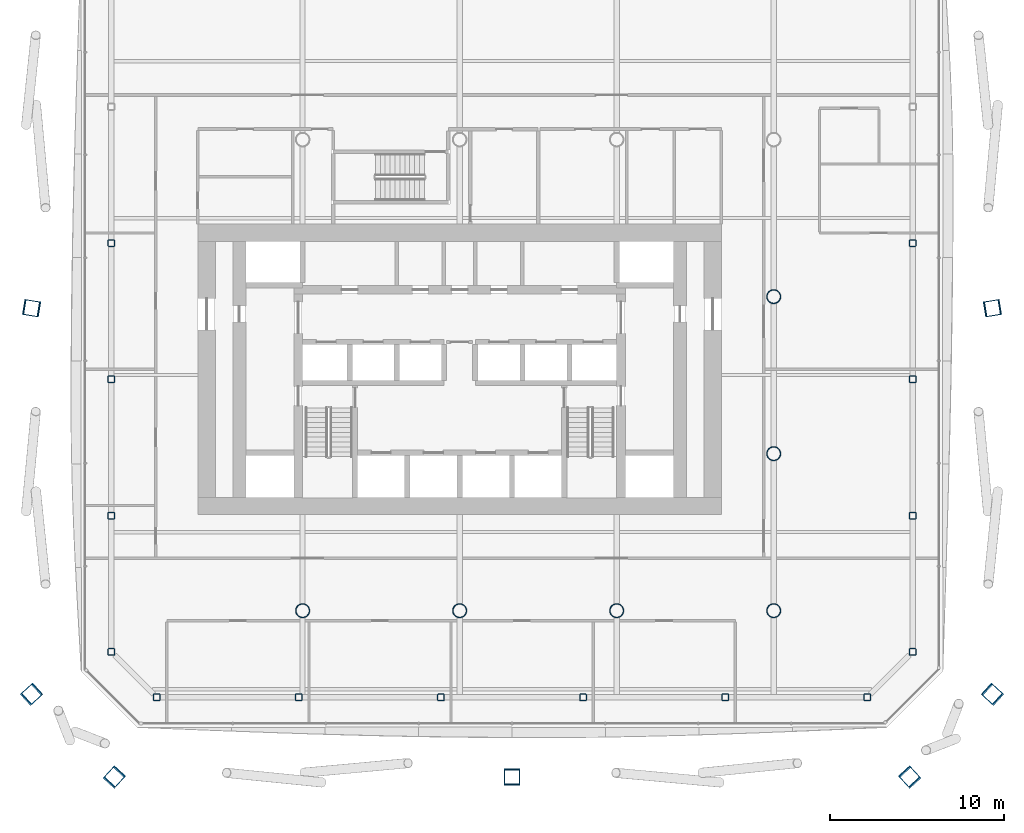
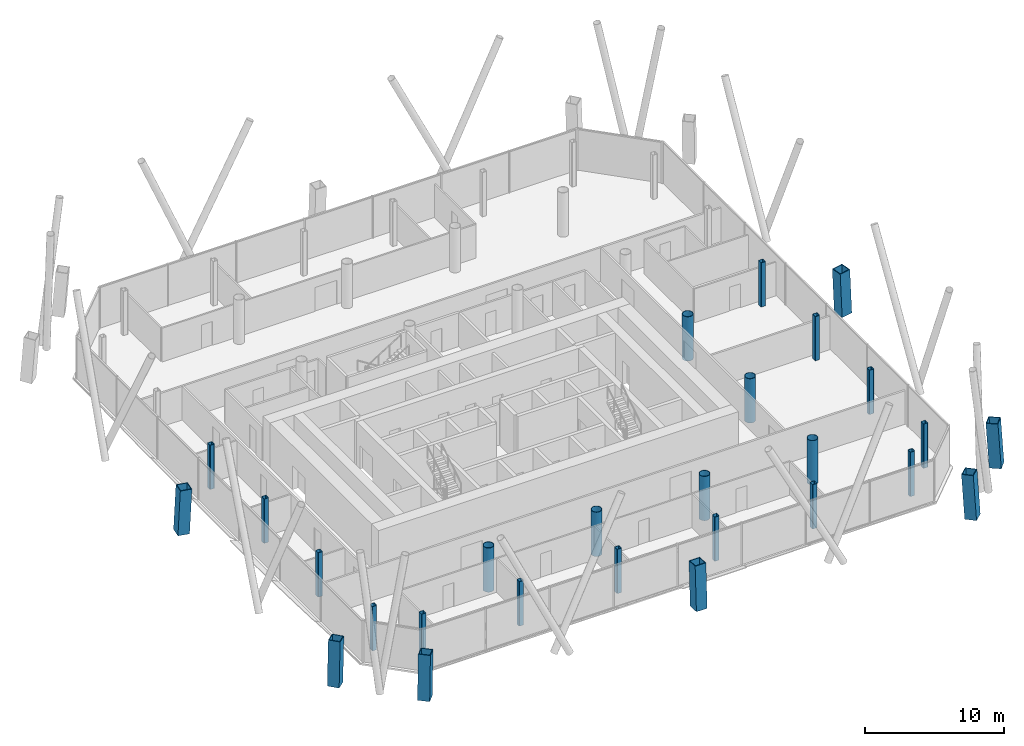
# One storey, part 1 of 22: 27 columns.
"""IFC4 building model written with IfcOpenShell, lengths in metres."""

from ifc_helpers import new_model, si_unit, direction, frame, origin, origin_2d, place, context, subcontext, project, spatial, hollow_rectangle, hollow_circle, extrude, material, material_profile, profile_set, type_object, element, save


model = new_model("IFC4")

# Units and contexts
model_context = context("Model", 3, precision=1e-05, world=origin(), true_north=direction((0.0, 1.0)))
body_context = subcontext(model_context, "Body", "Model", "MODEL_VIEW")
ifc_project = project(units=[si_unit("LENGTHUNIT", "METRE"), si_unit("AREAUNIT", "SQUARE_METRE"), si_unit("VOLUMEUNIT", "CUBIC_METRE"), si_unit("PLANEANGLEUNIT", "RADIAN"), si_unit("MASSUNIT", "GRAM", prefix="KILO")], contexts=[model_context])

# Site, building, storey
site_placement = place(None, origin())
site = spatial("IfcSite", under=ifc_project, at=site_placement, CompositionType="ELEMENT")
building_placement = place(site_placement, origin())
building = spatial("IfcBuilding", under=site, at=building_placement, Name="Tskaro Facet Tower", CompositionType="ELEMENT")
storey_placement = place(building_placement, frame((0.0, 0.0, 85.5)))
storey = spatial("IfcBuildingStorey", under=building, at=storey_placement, Name="L20", CompositionType="ELEMENT", Elevation=85.5)

# Columns
ifc_material_1 = material(Name="Steel S460M", Category="steel")
ifc_material_profile_1 = material_profile(ifc_material_1, hollow_rectangle(XDim=0.89990234375, YDim=0.89990234375, WallThickness=0.054931640625, at=origin_2d()), Name="BOX 900x900x55")
ifc_profile_set_1 = profile_set([ifc_material_profile_1], Name="Steel S460M")
column_type_1 = type_object("IfcColumnType", Name="BOX 900x900x55 mega column", PredefinedType="COLUMN", material=ifc_profile_set_1)
column_1_placement = place(storey_placement, frame((-19.81591796875, -27.56298828125, 0.0), z_axis=(0.042733391289, 0.046856788695, 0.997987123475), x_axis=(-0.738869281565, 0.673848784787, 0.0)))
element("IfcColumn", 1, at=column_1_placement, inside=storey, type_object=column_type_1, Name="BOX 900x900x55 MC01/2", PredefinedType="COLUMN", context=body_context, shape_type="SweptSolid", body=[
    extrude(hollow_rectangle(XDim=0.89990234375, YDim=0.89990234375, WallThickness=0.054931640625, at=origin_2d()), origin(), (0.0, 0.0, 1.0), 3.90771484375),
])
column_2_placement = place(storey_placement, frame((3.0, -27.56298828125, 0.0), z_axis=(0.0, 0.046899630973, 0.998899606875), x_axis=(-1.0, 0.0, 0.0)))
element("IfcColumn", 2, at=column_2_placement, inside=storey, type_object=column_type_1, Name="BOX 900x900x55 MC02/2", PredefinedType="COLUMN", context=body_context, shape_type="SweptSolid", body=[
    extrude(hollow_rectangle(XDim=0.89990234375, YDim=0.89990234375, WallThickness=0.054931640625, at=origin_2d()), origin(), (0.0, 0.0, 1.0), 3.904296875),
])
for number, where, z_axis, x_axis, name in (
    (3, (25.81591796875, -27.56298828125, 0.0), (-0.042733391289, 0.046856788695, 0.997987123475), (-0.738869281565, -0.673848784787, 0.0), "BOX 900x900x55 MC03/2"),
    (4, (30.56298828125, -22.81591796875, 0.0), (-0.046856788695, 0.042733391289, 0.997987123475), (-0.673848784787, -0.738869281565, 0.0), "BOX 900x900x55 MC04/2"),
):
    element("IfcColumn", number, at=place(storey_placement, frame(where, z_axis=z_axis, x_axis=x_axis)), inside=storey, type_object=column_type_1, Name=name, PredefinedType="COLUMN", context=body_context, shape_type="SweptSolid", body=[
        extrude(hollow_rectangle(XDim=0.89990234375, YDim=0.89990234375, WallThickness=0.054931640625, at=origin_2d()), origin(), (0.0, 0.0, 1.0), 3.90771484375),
    ])
for number, where, z_axis, x_axis, name in (
    (5, (30.56298828125, -0.657958984375, 0.0), (-0.046898243748, -0.007691311975, 0.998870060845), (0.161838042552, -0.986817332632, 0.0), "BOX 900x900x55 MC05/2"),
    (6, (-24.56298828125, -0.657958984375, 0.0), (0.046898243748, -0.007691311975, 0.998870060845), (0.161838042552, 0.986817332632, 0.0), "BOX 900x900x55 MC11/2"),
):
    element("IfcColumn", number, at=place(storey_placement, frame(where, z_axis=z_axis, x_axis=x_axis)), inside=storey, type_object=column_type_1, Name=name, PredefinedType="COLUMN", context=body_context, shape_type="SweptSolid", body=[
        extrude(hollow_rectangle(XDim=0.89990234375, YDim=0.89990234375, WallThickness=0.054931640625, at=origin_2d()), origin(), (0.0, 0.0, 1.0), 3.904296875),
    ])
column_3_placement = place(storey_placement, frame((-24.56298828125, -22.81591796875, 0.0), z_axis=(0.046856788695, 0.042733391289, 0.997987123475), x_axis=(-0.673848784787, 0.738869281565, 0.0)))
element("IfcColumn", 7, at=column_3_placement, inside=storey, type_object=column_type_1, Name="BOX 900x900x55 MC12/2", PredefinedType="COLUMN", context=body_context, shape_type="SweptSolid", body=[
    extrude(hollow_rectangle(XDim=0.89990234375, YDim=0.89990234375, WallThickness=0.054931640625, at=origin_2d()), origin(), (0.0, 0.0, 1.0), 3.90771484375),
])
ifc_material_2 = material(Name="Steel S355J2H", Category="steel")
ifc_material_profile_2 = material_profile(ifc_material_2, hollow_circle(Radius=0.406494140625, WallThickness=0.035888671875, at=origin_2d()), Name="CHS 812.8x36")
ifc_profile_set_2 = profile_set([ifc_material_profile_2], Name="Steel S355J2H")
column_type_2 = type_object("IfcColumnType", Name="CHS 812.8x36 interior column", PredefinedType="COLUMN", material=ifc_profile_set_2)
for number, where, z_axis, x_axis, name in (
    (8, (-9.0, -18.0, 0.0), (0.0, 0.0, 1.0), (1.0, 0.0, 0.0), "CHS 812.8x36 C3B/2"),
    (9, (0.0, -18.0, 0.0), (0.0, 0.0, 1.0), (1.0, 0.0, 0.0), "CHS 812.8x36 C4B/2"),
    (10, (9.0, -18.0, 0.0), (0.0, 0.0, 1.0), (1.0, 0.0, 0.0), "CHS 812.8x36 C5B/2"),
    (11, (18.0, -18.0, 0.0), (0.0, 0.0, 1.0), (1.0, 0.0, 0.0), "CHS 812.8x36 C6B/2"),
    (12, (18.0, -9.0, 0.0), (0.0, 0.0, 1.0), (1.0, 0.0, 0.0), "CHS 812.8x36 C6C/2"),
    (13, (18.0, 0.0, 0.0), (0.0, 0.0, 1.0), (1.0, 0.0, 0.0), "CHS 812.8x36 C6D/2"),
):
    element("IfcColumn", number, at=place(storey_placement, frame(where, z_axis=z_axis, x_axis=x_axis)), inside=storey, type_object=column_type_2, Name=name, PredefinedType="COLUMN", context=body_context, shape_type="SweptSolid", body=[
        extrude(hollow_circle(Radius=0.406494140625, WallThickness=0.035888671875, at=origin_2d()), origin(), (0.0, 0.0, 1.0), 3.89990234375),
    ])
ifc_material_profile_3 = material_profile(ifc_material_2, hollow_rectangle(XDim=0.39990234375, YDim=0.39990234375, WallThickness=0.02490234375, InnerFilletRadius=0.03759765625, OuterFilletRadius=0.0625, at=origin_2d()), Name="SHS 400x400x25")
ifc_profile_set_3 = profile_set([ifc_material_profile_3], Name="Steel S355J2H")
column_type_3 = type_object("IfcColumnType", Name="SHS 400x400x25 ring column", PredefinedType="COLUMN", material=ifc_profile_set_3)
for number, where, z_axis, x_axis, name in (
    (14, (-17.364013671875, -22.965087890625, 0.0), (0.0, 0.0, 1.0), (1.0, 0.0, 0.0), "SHS 400x400x25 RS-1/2"),
    (15, (-9.218017578125, -22.965087890625, 0.0), (0.0, 0.0, 1.0), (1.0, 0.0, 0.0), "SHS 400x400x25 RS-2/2"),
    (16, (-1.072998046875, -22.965087890625, 0.0), (0.0, 0.0, 1.0), (1.0, 0.0, 0.0), "SHS 400x400x25 RS-3/2"),
    (17, (7.072998046875, -22.965087890625, 0.0), (0.0, 0.0, 1.0), (1.0, 0.0, 0.0), "SHS 400x400x25 RS-4/2"),
    (18, (15.218017578125, -22.965087890625, 0.0), (0.0, 0.0, 1.0), (1.0, 0.0, 0.0), "SHS 400x400x25 RS-5/2"),
    (19, (23.364013671875, -22.965087890625, 0.0), (0.0, 0.0, 1.0), (1.0, 0.0, 0.0), "SHS 400x400x25 RSE-1/2"),
    (20, (25.965087890625, -20.364013671875, 0.0), (0.0, 0.0, 1.0), (1.0, 0.0, 0.0), "SHS 400x400x25 RE-1/2"),
    (21, (25.965087890625, -12.552978515625, 0.0), (0.0, 0.0, 1.0), (1.0, 0.0, 0.0), "SHS 400x400x25 RE-2/2"),
    (22, (25.965087890625, -4.741943359375, 0.0), (0.0, 0.0, 1.0), (1.0, 0.0, 0.0), "SHS 400x400x25 RE-3/2"),
    (23, (25.965087890625, 3.068115234375, 0.0), (0.0, 0.0, 1.0), (1.0, 0.0, 0.0), "SHS 400x400x25 RE-4/2"),
    (24, (-19.965087890625, 3.068115234375, 0.0), (0.0, 0.0, 1.0), (1.0, 0.0, 0.0), "SHS 400x400x25 RW-3/2"),
    (25, (-19.965087890625, -4.741943359375, 0.0), (0.0, 0.0, 1.0), (1.0, 0.0, 0.0), "SHS 400x400x25 RW-4/2"),
    (26, (-19.965087890625, -12.552978515625, 0.0), (0.0, 0.0, 1.0), (1.0, 0.0, 0.0), "SHS 400x400x25 RW-5/2"),
    (27, (-19.965087890625, -20.364013671875, 0.0), (0.0, 0.0, 1.0), (1.0, 0.0, 0.0), "SHS 400x400x25 RSW-1/2"),
):
    element("IfcColumn", number, at=place(storey_placement, frame(where, z_axis=z_axis, x_axis=x_axis)), inside=storey, type_object=column_type_3, Name=name, PredefinedType="COLUMN", context=body_context, shape_type="SweptSolid", body=[
        extrude(hollow_rectangle(XDim=0.39990234375, YDim=0.39990234375, WallThickness=0.02490234375, InnerFilletRadius=0.03759765625, OuterFilletRadius=0.0625, at=origin_2d()), origin(), (0.0, 0.0, 1.0), 3.89990234375),
    ])

save(model, "model.ifc")
